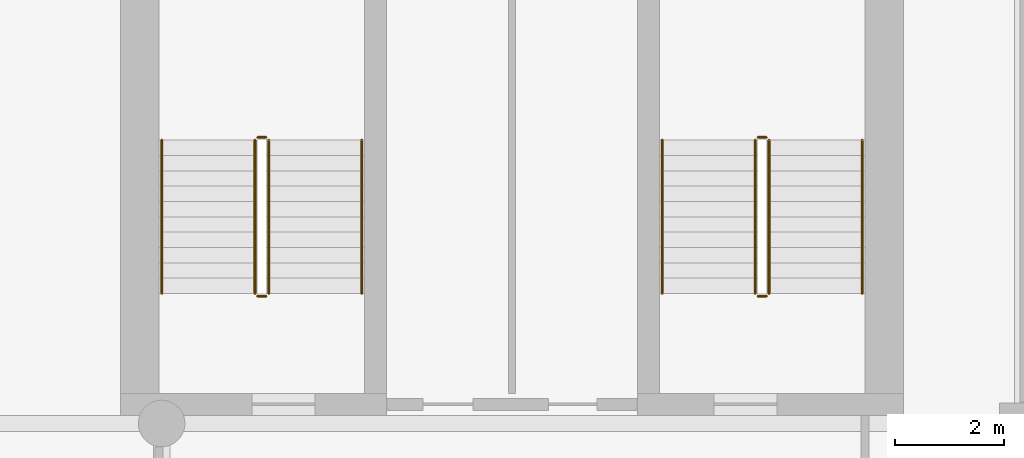
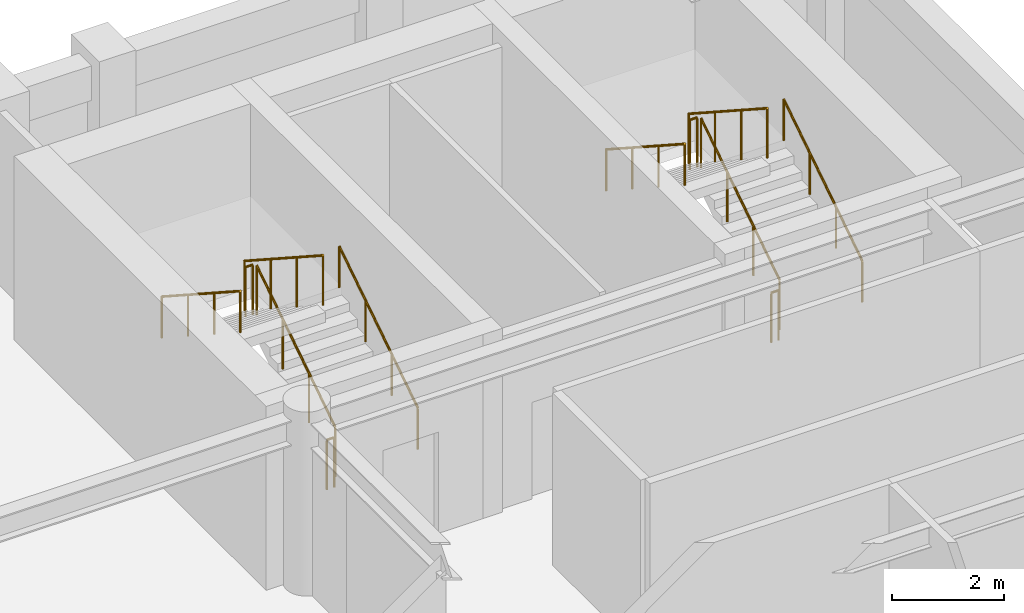
# One storey, part 8 of 8: 12 railings.
"""IFC4 building model written with IfcOpenShell, lengths in metres."""

from ifc_helpers import new_model, si_unit, direction, frame, origin, origin_2d, place, context, subcontext, project, spatial, circle, extrude, material, type_object, element, save


model = new_model("IFC4")

# Units and contexts
model_context = context("Model", 3, precision=1e-05, world=origin(), true_north=direction((0.0, 1.0)))
body_context = subcontext(model_context, "Body", "Model", "MODEL_VIEW")
ifc_project = project(units=[si_unit("LENGTHUNIT", "METRE"), si_unit("AREAUNIT", "SQUARE_METRE"), si_unit("VOLUMEUNIT", "CUBIC_METRE"), si_unit("PLANEANGLEUNIT", "RADIAN"), si_unit("MASSUNIT", "GRAM", prefix="KILO")], contexts=[model_context])

# Site, building, storey
site_placement = place(None, origin())
site = spatial("IfcSite", under=ifc_project, at=site_placement, CompositionType="ELEMENT")
building_placement = place(site_placement, origin())
building = spatial("IfcBuilding", under=site, at=building_placement, Name="Sulina Concourse Tower", CompositionType="ELEMENT")
storey_placement = place(building_placement, frame((0.0, 0.0, 256.60009765625)))
storey = spatial("IfcBuildingStorey", under=building, at=storey_placement, Name="L62", CompositionType="ELEMENT", Elevation=256.60009765625)

# Railings
ifc_material_1 = material(Name="Galvanised steel railing", Category="steel")
railing_type_1 = type_object("IfcRailingType", Name="Core Stair Steel Guardrail 1150mm", PredefinedType="GUARDRAIL", material=ifc_material_1)
railing_1_placement = place(storey_placement, frame((43.554931640625, 36.375, 0.181640625)))
element("IfcRailing", 1, at=railing_1_placement, inside=storey, type_object=railing_type_1, Name="L62 ST-3 stair guard 1", PredefinedType="GUARDRAIL", context=body_context, shape_type="SweptSolid", body=[
    extrude(circle(Radius=0.02392578125, at=origin_2d()), frame((0.0, 0.0, 1.076171875), z_axis=(0.0, 0.838672427954, 0.544636170843), x_axis=(-1.0, 0.0, 0.0)), (0.0, 0.0, 1.0), 3.338623046875),
    extrude(circle(Radius=0.02099609375, at=origin_2d()), origin(), (0.0, 0.0, 1.0), 1.052001953125),
    extrude(circle(Radius=0.02099609375, at=origin_2d()), frame((0.0, 0.933349609375, 0.606201171875)), (0.0, 0.0, 1.0), 1.052001953125),
    extrude(circle(Radius=0.02099609375, at=origin_2d()), frame((0.0, 1.86669921875, 1.212158203125)), (0.0, 0.0, 1.0), 1.052001953125),
    extrude(circle(Radius=0.02099609375, at=origin_2d()), frame((0.0, 2.800048828125, 1.818359375)), (0.0, 0.0, 1.0), 1.052001953125),
])
railing_2_placement = place(storey_placement, frame((43.5048828125, 39.22509765625, 2.0)))
element("IfcRailing", 2, at=railing_2_placement, inside=storey, type_object=railing_type_1, Name="L62 ST-3 stair guard 2", PredefinedType="GUARDRAIL", context=body_context, shape_type="SweptSolid", body=[
    extrude(circle(Radius=0.02392578125, at=origin_2d()), frame((0.0, 0.0, 1.076171875), z_axis=(-1.0, 0.0, 0.0), x_axis=(0.0, -1.0, 0.0)), (0.0, 0.0, 1.0), 0.14990234375),
    extrude(circle(Radius=0.02099609375, at=origin_2d()), origin(), (0.0, 0.0, 1.0), 1.052001953125),
    extrude(circle(Radius=0.02099609375, at=origin_2d()), frame((-0.14990234375, 0.0, 0.0)), (0.0, 0.0, 1.0), 1.052001953125),
])
railing_3_placement = place(storey_placement, frame((43.304931640625, 39.175048828125, 2.181640625)))
element("IfcRailing", 3, at=railing_3_placement, inside=storey, type_object=railing_type_1, Name="L62 ST-3 stair guard 3", PredefinedType="GUARDRAIL", context=body_context, shape_type="SweptSolid", body=[
    extrude(circle(Radius=0.02392578125, at=origin_2d()), frame((0.0, 0.0, 1.076171875), z_axis=(0.0, -0.838672427954, 0.544636170843), x_axis=(1.0, 0.0, 0.0)), (0.0, 0.0, 1.0), 3.338623046875),
    extrude(circle(Radius=0.02099609375, at=origin_2d()), origin(), (0.0, 0.0, 1.0), 1.052001953125),
    extrude(circle(Radius=0.02099609375, at=origin_2d()), frame((0.0, -0.933349609375, 0.606201171875)), (0.0, 0.0, 1.0), 1.052001953125),
    extrude(circle(Radius=0.02099609375, at=origin_2d()), frame((0.0, -1.86669921875, 1.212158203125)), (0.0, 0.0, 1.0), 1.052001953125),
    extrude(circle(Radius=0.02099609375, at=origin_2d()), frame((0.0, -2.800048828125, 1.818359375)), (0.0, 0.0, 1.0), 1.052001953125),
])
railing_4_placement = place(storey_placement, frame((43.5048828125, 36.324951171875, 0.0)))
element("IfcRailing", 4, at=railing_4_placement, inside=storey, type_object=railing_type_1, Name="L62 ST-3 stair guard 4", PredefinedType="GUARDRAIL", context=body_context, shape_type="SweptSolid", body=[
    extrude(circle(Radius=0.02392578125, at=origin_2d()), frame((0.0, 0.0, 1.076171875), z_axis=(-1.0, 0.0, 0.0), x_axis=(0.0, -1.0, 0.0)), (0.0, 0.0, 1.0), 0.14990234375),
    extrude(circle(Radius=0.02099609375, at=origin_2d()), origin(), (0.0, 0.0, 1.0), 1.052001953125),
    extrude(circle(Radius=0.02099609375, at=origin_2d()), frame((-0.14990234375, 0.0, 0.0)), (0.0, 0.0, 1.0), 1.052001953125),
])
railing_5_placement = place(storey_placement, frame((52.695068359375, 36.375, 0.181640625)))
element("IfcRailing", 5, at=railing_5_placement, inside=storey, type_object=railing_type_1, Name="L62 ST-4 stair guard 1", PredefinedType="GUARDRAIL", context=body_context, shape_type="SweptSolid", body=[
    extrude(circle(Radius=0.02392578125, at=origin_2d()), frame((0.0, 0.0, 1.076171875), z_axis=(0.0, 0.838672427954, 0.544636170843), x_axis=(-1.0, 0.0, 0.0)), (0.0, 0.0, 1.0), 3.338623046875),
    extrude(circle(Radius=0.02099609375, at=origin_2d()), origin(), (0.0, 0.0, 1.0), 1.052001953125),
    extrude(circle(Radius=0.02099609375, at=origin_2d()), frame((0.0, 0.933349609375, 0.606201171875)), (0.0, 0.0, 1.0), 1.052001953125),
    extrude(circle(Radius=0.02099609375, at=origin_2d()), frame((0.0, 1.86669921875, 1.212158203125)), (0.0, 0.0, 1.0), 1.052001953125),
    extrude(circle(Radius=0.02099609375, at=origin_2d()), frame((0.0, 2.800048828125, 1.818359375)), (0.0, 0.0, 1.0), 1.052001953125),
])
railing_6_placement = place(storey_placement, frame((52.64501953125, 39.22509765625, 2.0)))
element("IfcRailing", 6, at=railing_6_placement, inside=storey, type_object=railing_type_1, Name="L62 ST-4 stair guard 2", PredefinedType="GUARDRAIL", context=body_context, shape_type="SweptSolid", body=[
    extrude(circle(Radius=0.02392578125, at=origin_2d()), frame((0.0, 0.0, 1.076171875), z_axis=(-1.0, 0.0, 0.0), x_axis=(0.0, -1.0, 0.0)), (0.0, 0.0, 1.0), 0.14990234375),
    extrude(circle(Radius=0.02099609375, at=origin_2d()), origin(), (0.0, 0.0, 1.0), 1.052001953125),
    extrude(circle(Radius=0.02099609375, at=origin_2d()), frame((-0.14990234375, 0.0, 0.0)), (0.0, 0.0, 1.0), 1.052001953125),
])
railing_7_placement = place(storey_placement, frame((52.445068359375, 39.175048828125, 2.181640625)))
element("IfcRailing", 7, at=railing_7_placement, inside=storey, type_object=railing_type_1, Name="L62 ST-4 stair guard 3", PredefinedType="GUARDRAIL", context=body_context, shape_type="SweptSolid", body=[
    extrude(circle(Radius=0.02392578125, at=origin_2d()), frame((0.0, 0.0, 1.076171875), z_axis=(0.0, -0.838672427954, 0.544636170843), x_axis=(1.0, 0.0, 0.0)), (0.0, 0.0, 1.0), 3.338623046875),
    extrude(circle(Radius=0.02099609375, at=origin_2d()), origin(), (0.0, 0.0, 1.0), 1.052001953125),
    extrude(circle(Radius=0.02099609375, at=origin_2d()), frame((0.0, -0.933349609375, 0.606201171875)), (0.0, 0.0, 1.0), 1.052001953125),
    extrude(circle(Radius=0.02099609375, at=origin_2d()), frame((0.0, -1.86669921875, 1.212158203125)), (0.0, 0.0, 1.0), 1.052001953125),
    extrude(circle(Radius=0.02099609375, at=origin_2d()), frame((0.0, -2.800048828125, 1.818359375)), (0.0, 0.0, 1.0), 1.052001953125),
])
railing_8_placement = place(storey_placement, frame((52.64501953125, 36.324951171875, 0.0)))
element("IfcRailing", 8, at=railing_8_placement, inside=storey, type_object=railing_type_1, Name="L62 ST-4 stair guard 4", PredefinedType="GUARDRAIL", context=body_context, shape_type="SweptSolid", body=[
    extrude(circle(Radius=0.02392578125, at=origin_2d()), frame((0.0, 0.0, 1.076171875), z_axis=(-1.0, 0.0, 0.0), x_axis=(0.0, -1.0, 0.0)), (0.0, 0.0, 1.0), 0.14990234375),
    extrude(circle(Radius=0.02099609375, at=origin_2d()), origin(), (0.0, 0.0, 1.0), 1.052001953125),
    extrude(circle(Radius=0.02099609375, at=origin_2d()), frame((-0.14990234375, 0.0, 0.0)), (0.0, 0.0, 1.0), 1.052001953125),
])
ifc_material_2 = material(Name="Galvanised steel railing", Category="steel")
railing_type_2 = type_object("IfcRailingType", Name="Stair Wall Steel Handrail 920mm", PredefinedType="HANDRAIL", material=ifc_material_2)
railing_9_placement = place(storey_placement, frame((45.2548828125, 36.375, 0.181640625)))
element("IfcRailing", 9, at=railing_9_placement, inside=storey, type_object=railing_type_2, Name="L62 ST-3 stair handrail 1", PredefinedType="HANDRAIL", context=body_context, shape_type="SweptSolid", body=[
    extrude(circle(Radius=0.02392578125, at=origin_2d()), frame((0.0, 0.0, 0.89599609375), z_axis=(0.0, 0.838672427954, 0.544636170843), x_axis=(-1.0, 0.0, 0.0)), (0.0, 0.0, 1.0), 3.338623046875),
    extrude(circle(Radius=0.02099609375, at=origin_2d()), origin(), (0.0, 0.0, 1.0), 0.871826171875),
    extrude(circle(Radius=0.02099609375, at=origin_2d()), frame((0.0, 0.933349609375, 0.606201171875)), (0.0, 0.0, 1.0), 0.871826171875),
    extrude(circle(Radius=0.02099609375, at=origin_2d()), frame((0.0, 1.86669921875, 1.212158203125)), (0.0, 0.0, 1.0), 0.871826171875),
    extrude(circle(Radius=0.02099609375, at=origin_2d()), frame((0.0, 2.800048828125, 1.818359375)), (0.0, 0.0, 1.0), 0.871826171875),
])
railing_10_placement = place(storey_placement, frame((41.60498046875, 39.175048828125, 2.181640625)))
element("IfcRailing", 10, at=railing_10_placement, inside=storey, type_object=railing_type_2, Name="L62 ST-3 stair handrail 2", PredefinedType="HANDRAIL", context=body_context, shape_type="SweptSolid", body=[
    extrude(circle(Radius=0.02392578125, at=origin_2d()), frame((0.0, 0.0, 0.89599609375), z_axis=(0.0, -0.838672427954, 0.544636170843), x_axis=(1.0, 0.0, 0.0)), (0.0, 0.0, 1.0), 3.338623046875),
    extrude(circle(Radius=0.02099609375, at=origin_2d()), origin(), (0.0, 0.0, 1.0), 0.871826171875),
    extrude(circle(Radius=0.02099609375, at=origin_2d()), frame((0.0, -0.933349609375, 0.606201171875)), (0.0, 0.0, 1.0), 0.871826171875),
    extrude(circle(Radius=0.02099609375, at=origin_2d()), frame((0.0, -1.86669921875, 1.212158203125)), (0.0, 0.0, 1.0), 0.871826171875),
    extrude(circle(Radius=0.02099609375, at=origin_2d()), frame((0.0, -2.800048828125, 1.818359375)), (0.0, 0.0, 1.0), 0.871826171875),
])
railing_11_placement = place(storey_placement, frame((54.39501953125, 36.375, 0.181640625)))
element("IfcRailing", 11, at=railing_11_placement, inside=storey, type_object=railing_type_2, Name="L62 ST-4 stair handrail 1", PredefinedType="HANDRAIL", context=body_context, shape_type="SweptSolid", body=[
    extrude(circle(Radius=0.02392578125, at=origin_2d()), frame((0.0, 0.0, 0.89599609375), z_axis=(0.0, 0.838672427954, 0.544636170843), x_axis=(-1.0, 0.0, 0.0)), (0.0, 0.0, 1.0), 3.338623046875),
    extrude(circle(Radius=0.02099609375, at=origin_2d()), origin(), (0.0, 0.0, 1.0), 0.871826171875),
    extrude(circle(Radius=0.02099609375, at=origin_2d()), frame((0.0, 0.933349609375, 0.606201171875)), (0.0, 0.0, 1.0), 0.871826171875),
    extrude(circle(Radius=0.02099609375, at=origin_2d()), frame((0.0, 1.86669921875, 1.212158203125)), (0.0, 0.0, 1.0), 0.871826171875),
    extrude(circle(Radius=0.02099609375, at=origin_2d()), frame((0.0, 2.800048828125, 1.818359375)), (0.0, 0.0, 1.0), 0.871826171875),
])
railing_12_placement = place(storey_placement, frame((50.7451171875, 39.175048828125, 2.181640625)))
element("IfcRailing", 12, at=railing_12_placement, inside=storey, type_object=railing_type_2, Name="L62 ST-4 stair handrail 2", PredefinedType="HANDRAIL", context=body_context, shape_type="SweptSolid", body=[
    extrude(circle(Radius=0.02392578125, at=origin_2d()), frame((0.0, 0.0, 0.89599609375), z_axis=(0.0, -0.838672427954, 0.544636170843), x_axis=(1.0, 0.0, 0.0)), (0.0, 0.0, 1.0), 3.338623046875),
    extrude(circle(Radius=0.02099609375, at=origin_2d()), origin(), (0.0, 0.0, 1.0), 0.871826171875),
    extrude(circle(Radius=0.02099609375, at=origin_2d()), frame((0.0, -0.933349609375, 0.606201171875)), (0.0, 0.0, 1.0), 0.871826171875),
    extrude(circle(Radius=0.02099609375, at=origin_2d()), frame((0.0, -1.86669921875, 1.212158203125)), (0.0, 0.0, 1.0), 0.871826171875),
    extrude(circle(Radius=0.02099609375, at=origin_2d()), frame((0.0, -2.800048828125, 1.818359375)), (0.0, 0.0, 1.0), 0.871826171875),
])

save(model, "model.ifc")
